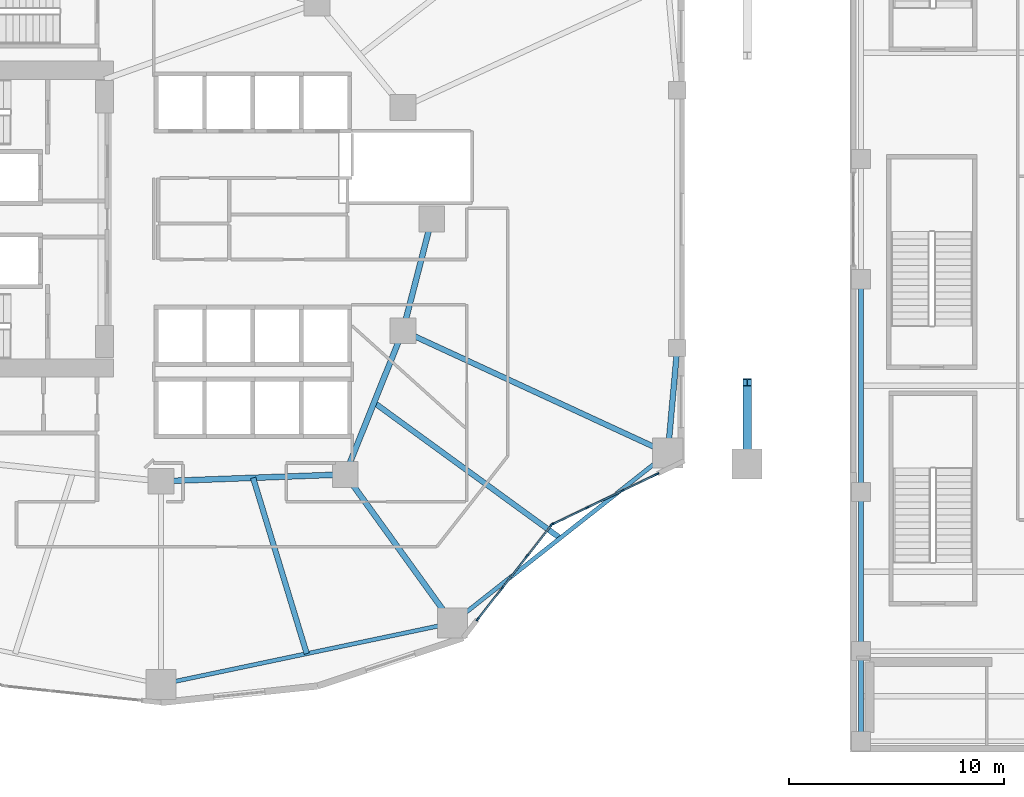
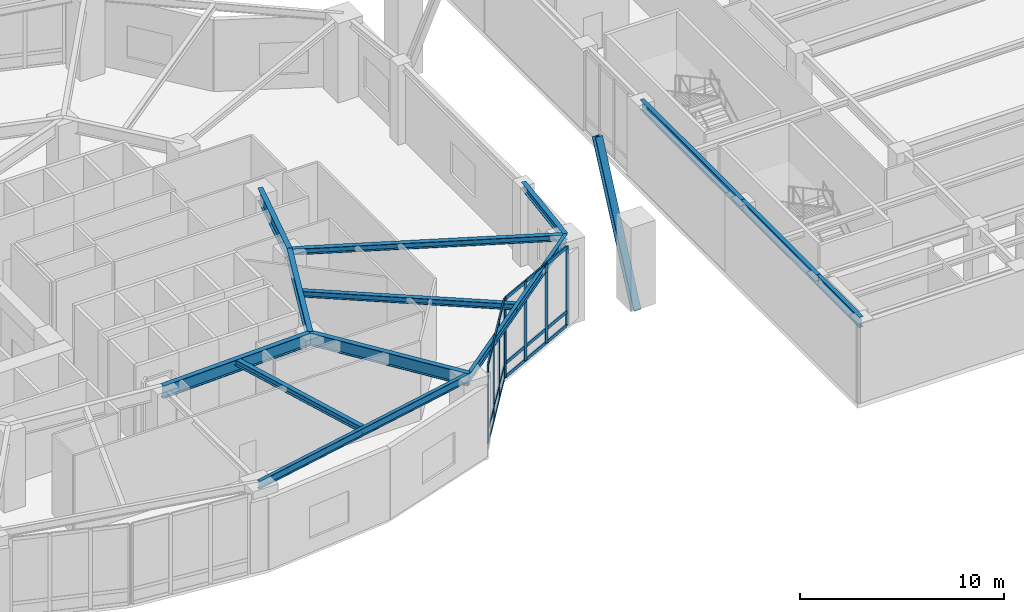
# One storey, part 3 of 21: 27 members, 13 beams, 2 elements without a shape of their own.
"""IFC4 building model written with IfcOpenShell, lengths in metres."""

import ifcopenshell
import ifcopenshell.guid

model = None  # the IFC model being written
_history = None  # IfcOwnerHistory: only IFC2X3 demands one
_inside = {}  # id of a spatial element -> (the spatial element, [elements in it])
_under = {}  # id of a project, library or spatial element -> (it, [spatial elements below it])
_declared = {}  # id of a project -> (the project, [libraries it declares])
_typed = {}  # id of a type object -> (the type object, [elements of that type])
_made_of = {}  # id of a material, layer set ... -> (it, [elements and type objects made of it])


def new_model(schema):
    """Start an empty IFC model of exactly this schema.

    Asked for "IFC4X3", IfcOpenShell would pick the latest addendum, in which some entities
    have other attributes; the version numbers below select the first issue.
    IFC2X3 requires an IfcOwnerHistory on every rooted entity: one is made here for all.
    """
    global model, _history
    if schema == "IFC4X3":
        model = ifcopenshell.file(schema_version=(4, 3, 0, 0))
    else:
        model = ifcopenshell.file(schema=schema)
    _inside.clear()
    _under.clear()
    _declared.clear()
    _typed.clear()
    _made_of.clear()
    _history = None
    if model.schema == "IFC2X3":
        org = make("IfcOrganization", Name="unknown")
        user = make(
            "IfcPersonAndOrganization",
            ThePerson=make("IfcPerson", FamilyName="unknown"),
            TheOrganization=org,
        )
        app = make(
            "IfcApplication",
            ApplicationDeveloper=org,
            Version="unknown",
            ApplicationFullName="unknown",
            ApplicationIdentifier="unknown",
        )
        _history = make(
            "IfcOwnerHistory",
            OwningUser=user,
            OwningApplication=app,
            ChangeAction="ADDED",
            CreationDate=0,
        )
    return model


def make(cls, **values):
    """One entity of the class cls with the attributes given. An attribute that is None is left unset."""
    return model.create_entity(
        cls, **{name: value for name, value in values.items() if value is not None}
    )


def rooted(cls, **values):
    """An entity with a GlobalId (a new one), such as an element, a storey or a relation."""
    return make(cls, GlobalId=ifcopenshell.guid.new(), OwnerHistory=_history, **values)


def si_unit(unit_type, name, prefix=None):
    """IfcSIUnit, for example si_unit("LENGTHUNIT", "METRE", prefix="MILLI")."""
    return make("IfcSIUnit", UnitType=unit_type, Prefix=prefix, Name=name)


def assignment(units):
    """IfcUnitAssignment: the units of a project."""
    return None if units is None else make("IfcUnitAssignment", Units=units)


def point(xyz):
    """IfcCartesianPoint."""
    return None if xyz is None else make("IfcCartesianPoint", Coordinates=xyz)


def direction(xyz):
    """IfcDirection."""
    return None if xyz is None else make("IfcDirection", DirectionRatios=xyz)


def frame(location, z_axis=None, x_axis=None):
    """IfcAxis2Placement3D, a coordinate frame: its origin and axes. An axis left out is left unset."""
    return make(
        "IfcAxis2Placement3D",
        Location=point(location),
        Axis=direction(z_axis),
        RefDirection=direction(x_axis),
    )


def frame_2d(location, x_axis=None):
    """IfcAxis2Placement2D, a coordinate frame in the plane: its origin and x axis."""
    return make(
        "IfcAxis2Placement2D", Location=point(location), RefDirection=direction(x_axis)
    )


def origin():
    """The frame at (0, 0, 0) with its axes left unset."""
    return frame((0.0, 0.0, 0.0))


def origin_2d():
    """The frame at (0, 0) in the plane with its x axis left unset."""
    return frame_2d((0.0, 0.0))


def place(relative_to, where):
    """IfcLocalPlacement: puts the frame where relative to a parent placement (None: the world)."""
    return make(
        "IfcLocalPlacement", PlacementRelTo=relative_to, RelativePlacement=where
    )


def context(
    kind, dimensions, precision=None, world=None, true_north=None, identifier=None
):
    """IfcGeometricRepresentationContext, for example the 3D "Model" context."""
    return make(
        "IfcGeometricRepresentationContext",
        ContextIdentifier=identifier,
        ContextType=kind,
        CoordinateSpaceDimension=dimensions,
        Precision=precision,
        WorldCoordinateSystem=world,
        TrueNorth=true_north,
    )


def subcontext(parent, identifier, kind, view, scale=None):
    """IfcGeometricRepresentationSubContext, for example "Body" below "Model"."""
    return make(
        "IfcGeometricRepresentationSubContext",
        ContextIdentifier=identifier,
        ContextType=kind,
        ParentContext=parent,
        TargetScale=scale,
        TargetView=view,
    )


def project(units=None, contexts=None):
    """IfcProject with its units and contexts."""
    return rooted(
        "IfcProject",
        Name="project",
        RepresentationContexts=contexts,
        UnitsInContext=assignment(units),
    )


def spatial(cls, under=None, at=None, **own):
    """A site, building, storey or space (cls), placed at a placement, below another one or the project."""
    s = rooted(cls, ObjectPlacement=at, **own)
    if under is not None:
        _under.setdefault(under.id(), (under, []))[1].append(s)
    return s


def profile(cls, at=None, kind="AREA", **sizes):
    """A parametric profile (cls). Its sizes go by their IFC names, for example OverallWidth=200.0."""
    return make(cls, ProfileType=kind, Position=at, **sizes)


def rectangle(**sizes):
    """IfcRectangleProfileDef."""
    return profile("IfcRectangleProfileDef", **sizes)


def i_section(**sizes):
    """IfcIShapeProfileDef."""
    return profile("IfcIShapeProfileDef", **sizes)


def extrude(swept, where, along, depth):
    """IfcExtrudedAreaSolid: the profile swept, set in the frame where, extruded along a direction by depth."""
    return make(
        "IfcExtrudedAreaSolid",
        SweptArea=swept,
        Position=where,
        ExtrudedDirection=direction(along),
        Depth=depth,
    )


def shape(context_of_items, identifier, shape_type, items):
    """IfcShapeRepresentation: the items that make up one representation, for example the "Body"."""
    return make(
        "IfcShapeRepresentation",
        ContextOfItems=context_of_items,
        RepresentationIdentifier=identifier,
        RepresentationType=shape_type,
        Items=items,
    )


def material(Name=None, Category=None):
    """IfcMaterial."""
    return make("IfcMaterial", Name=Name, Category=Category)


def layer(
    of_material, thickness, ventilated=None, Name=None, Category=None, Priority=None
):
    """IfcMaterialLayer: one layer of a wall or slab, of a material (None: an air gap)."""
    return make(
        "IfcMaterialLayer",
        Material=of_material,
        LayerThickness=thickness,
        IsVentilated=ventilated,
        Name=Name,
        Category=Category,
        Priority=Priority,
    )


def layer_set(layers, Name=None):
    """IfcMaterialLayerSet."""
    return make("IfcMaterialLayerSet", MaterialLayers=layers, LayerSetName=Name)


def material_profile(
    of_material, cross_section, Name=None, Category=None, Priority=None
):
    """IfcMaterialProfile: a cross section and its material."""
    return make(
        "IfcMaterialProfile",
        Name=Name,
        Material=of_material,
        Profile=cross_section,
        Priority=Priority,
        Category=Category,
    )


def profile_set(profiles, Name=None, composite=None):
    """IfcMaterialProfileSet."""
    return make(
        "IfcMaterialProfileSet",
        Name=Name,
        MaterialProfiles=profiles,
        CompositeProfile=composite,
    )


def made_of(thing, what):
    """Note that an element or type object is made of a material, layer set ...; save() writes the relation."""
    if what is not None:
        _made_of.setdefault(what.id(), (what, []))[1].append(thing)
    return thing


def type_object(cls, material=None, **own):
    """A type object (cls), such as IfcWallType, which elements share."""
    return made_of(rooted(cls, **own), material)


def element(
    cls,
    number,
    at=None,
    inside=None,
    cuts=None,
    type_object=None,
    material=None,
    context=None,
    identifier="Body",
    shape_type=None,
    held_by="IfcProductDefinitionShape",
    body=None,
    shapes=None,
    **own,
):
    """One element of the class cls, such as IfcWall. Its Tag is "e" and its number.

    at: its placement. inside: the storey or other place that contains it. cuts: it is an
    opening in that element (IfcRelVoidsElement). A single representation is given by context,
    identifier, shape_type and body (its items); several are given by shapes. held_by: the class
    of the entity that holds the representations. save() writes the other relations.
    """
    e = rooted(cls, Tag="e%d" % number, ObjectPlacement=at, **own)
    if body is not None:
        shapes = [shape(context, identifier, shape_type, body)]
    if shapes is not None:
        e.Representation = make(held_by, Representations=shapes)
    if inside is not None:
        _inside.setdefault(inside.id(), (inside, []))[1].append(e)
    if cuts is not None:
        rooted(
            "IfcRelVoidsElement", RelatingBuildingElement=cuts, RelatedOpeningElement=e
        )
    if type_object is not None:
        _typed.setdefault(type_object.id(), (type_object, []))[1].append(e)
    return made_of(e, material)


def aggregate(whole, parts):
    """IfcRelAggregates: a whole, such as a stair, and the parts it consists of."""
    return rooted("IfcRelAggregates", RelatingObject=whole, RelatedObjects=parts)


def save(model, path):
    """Write the relations noted so far, then the file.

    IfcRelAggregates (storeys below a building ...), IfcRelContainedInSpatialStructure (elements
    in a storey), IfcRelDefinesByType, IfcRelAssociatesMaterial and IfcRelDeclares: one each for
    every whole, place, type object, material and project.
    """
    for whole, parts in _under.values():
        aggregate(whole, parts)
    for where, things in _inside.values():
        rooted(
            "IfcRelContainedInSpatialStructure",
            RelatedElements=things,
            RelatingStructure=where,
        )
    for kind, things in _typed.values():
        rooted("IfcRelDefinesByType", RelatedObjects=things, RelatingType=kind)
    for what, things in _made_of.values():
        rooted("IfcRelAssociatesMaterial", RelatedObjects=things, RelatingMaterial=what)
    for by, libraries in _declared.values():
        rooted("IfcRelDeclares", RelatingContext=by, RelatedDefinitions=libraries)
    model.write(path)


model = new_model("IFC4")

# Units and contexts
model_context = context("Model", 3, precision=1e-05, world=origin(), true_north=direction((0.0, 1.0)))
body_context = subcontext(model_context, "Body", "Model", "MODEL_VIEW")
ifc_project = project(units=[si_unit("LENGTHUNIT", "METRE"), si_unit("AREAUNIT", "SQUARE_METRE"), si_unit("VOLUMEUNIT", "CUBIC_METRE"), si_unit("PLANEANGLEUNIT", "RADIAN"), si_unit("MASSUNIT", "GRAM", prefix="KILO")], contexts=[model_context])

# Site, building, storey
site_placement = place(None, origin())
site = spatial("IfcSite", under=ifc_project, at=site_placement, CompositionType="ELEMENT")
building_placement = place(site_placement, origin())
building = spatial("IfcBuilding", under=site, at=building_placement, Name="Kolvaren Gate Tower and Convention Centre", CompositionType="ELEMENT")
storey_placement = place(building_placement, frame((0.0, 0.0, 5.0)))
storey = spatial("IfcBuildingStorey", under=building, at=storey_placement, Name="L01", CompositionType="ELEMENT", Elevation=5.0)

# Curtain wall, members
ifc_material_1 = material(Name="Anodized Architectural Aluminium Alloy 6063-T6", Category="aluminium")
ifc_layer = layer(ifc_material_1, 0.179931640625)
ifc_layer_set = layer_set([ifc_layer], Name="Anodized Architectural Aluminium Alloy 6063-T6")
curtain_wall_type = type_object("IfcCurtainWallType", Name="CW-POD-GLZ", PredefinedType="NOTDEFINED", material=ifc_layer_set)
curtain_wall_1_placement = place(storey_placement, origin())
curtain_wall_1 = element("IfcCurtainWall", 1, at=curtain_wall_1_placement, inside=storey, type_object=curtain_wall_type, Name="Tower L01 Unitised Curtain Wall CW-POD-GLZ Bay 20", PredefinedType="NOTDEFINED")
ifc_material_profile_1 = material_profile(ifc_material_1, rectangle(XDim=0.074951171875, YDim=0.199951171875, at=origin_2d()), Name="CW-MEM-MUL-200")
ifc_profile_set_1 = profile_set([ifc_material_profile_1], Name="Anodized Architectural Aluminium Alloy 6063-T6")
member_type_1 = type_object("IfcMemberType", Name="CW-MEM-MUL-200", PredefinedType="MULLION", material=ifc_profile_set_1)
member_1_placement = place(storey_placement, frame((44.8740234375, 8.39111328125, 0.0), z_axis=(0.0, 0.0, 1.0), x_axis=(-0.787413004527, 0.616425794643, 0.0)))
member_1 = element("IfcMember", 2, at=member_1_placement, type_object=member_type_1, Name="CW-01 mullion 1", PredefinedType="MULLION", context=body_context, shape_type="SweptSolid", body=[
    extrude(rectangle(XDim=0.074951171875, YDim=0.199951171875, at=origin_2d()), origin(), (0.0, 0.0, 1.0), 4.739990234375),
])
member_2_placement = place(storey_placement, frame((46.005615234375, 9.8369140625, 0.0), z_axis=(0.0, 0.0, 1.0), x_axis=(-0.787413004527, 0.616425794643, 0.0)))
member_2 = element("IfcMember", 3, at=member_2_placement, type_object=member_type_1, Name="CW-01 mullion 2", PredefinedType="MULLION", context=body_context, shape_type="SweptSolid", body=[
    extrude(rectangle(XDim=0.074951171875, YDim=0.199951171875, at=origin_2d()), origin(), (0.0, 0.0, 1.0), 4.739990234375),
])
member_3_placement = place(storey_placement, frame((47.160400390625, 11.31201171875, 0.0), z_axis=(0.0, 0.0, 1.0), x_axis=(-0.787413004527, 0.616425794643, 0.0)))
member_3 = element("IfcMember", 4, at=member_3_placement, type_object=member_type_1, Name="CW-01 mullion 3", PredefinedType="MULLION", context=body_context, shape_type="SweptSolid", body=[
    extrude(rectangle(XDim=0.074951171875, YDim=0.199951171875, at=origin_2d()), origin(), (0.0, 0.0, 1.0), 4.739990234375),
])
member_4_placement = place(storey_placement, frame((48.292236328125, 12.757568359375, 0.0), z_axis=(0.0, 0.0, 1.0), x_axis=(-0.787413004527, 0.616425794643, 0.0)))
member_4 = element("IfcMember", 5, at=member_4_placement, type_object=member_type_1, Name="CW-01 mullion 4", PredefinedType="MULLION", context=body_context, shape_type="SweptSolid", body=[
    extrude(rectangle(XDim=0.074951171875, YDim=0.199951171875, at=origin_2d()), origin(), (0.0, 0.0, 1.0), 4.739990234375),
])

curtain_wall_2_placement = place(storey_placement, origin())
curtain_wall_2 = element("IfcCurtainWall", 6, at=curtain_wall_2_placement, inside=storey, type_object=curtain_wall_type, Name="Tower L01 Unitised Curtain Wall CW-POD-GLZ Bay 21", PredefinedType="NOTDEFINED")
member_5_placement = place(storey_placement, frame((48.34912109375, 12.803466796875, 0.0), z_axis=(0.0, 0.0, 1.0), x_axis=(-0.433062688542, 0.90136380435, 0.0)))
member_5 = element("IfcMember", 7, at=member_5_placement, type_object=member_type_1, Name="CW-01 mullion 1", PredefinedType="MULLION", context=body_context, shape_type="SweptSolid", body=[
    extrude(rectangle(XDim=0.074951171875, YDim=0.199951171875, at=origin_2d()), origin(), (0.0, 0.0, 1.0), 4.739990234375),
])
member_6_placement = place(storey_placement, frame((49.955810546875, 13.575439453125, 0.0), z_axis=(0.0, 0.0, 1.0), x_axis=(-0.433062688542, 0.90136380435, 0.0)))
member_6 = element("IfcMember", 8, at=member_6_placement, type_object=member_type_1, Name="CW-01 mullion 2", PredefinedType="MULLION", context=body_context, shape_type="SweptSolid", body=[
    extrude(rectangle(XDim=0.074951171875, YDim=0.199951171875, at=origin_2d()), origin(), (0.0, 0.0, 1.0), 4.739990234375),
])
member_7_placement = place(storey_placement, frame((51.59619140625, 14.363525390625, 0.0), z_axis=(0.0, 0.0, 1.0), x_axis=(-0.433062688542, 0.90136380435, 0.0)))
member_7 = element("IfcMember", 9, at=member_7_placement, type_object=member_type_1, Name="CW-01 mullion 3", PredefinedType="MULLION", context=body_context, shape_type="SweptSolid", body=[
    extrude(rectangle(XDim=0.074951171875, YDim=0.199951171875, at=origin_2d()), origin(), (0.0, 0.0, 1.0), 4.739990234375),
])
member_8_placement = place(storey_placement, frame((53.202880859375, 15.135498046875, 0.0), z_axis=(0.0, 0.0, 1.0), x_axis=(-0.433062688542, 0.90136380435, 0.0)))
member_8 = element("IfcMember", 10, at=member_8_placement, type_object=member_type_1, Name="CW-01 mullion 4", PredefinedType="MULLION", context=body_context, shape_type="SweptSolid", body=[
    extrude(rectangle(XDim=0.074951171875, YDim=0.199951171875, at=origin_2d()), origin(), (0.0, 0.0, 1.0), 4.739990234375),
])

# Member
ifc_material_profile_2 = material_profile(ifc_material_1, rectangle(XDim=0.074951171875, YDim=0.199951171875, at=origin_2d()), Name="CW-MEM-TRN-200")
ifc_profile_set_2 = profile_set([ifc_material_profile_2], Name="Anodized Architectural Aluminium Alloy 6063-T6")
member_type_2 = type_object("IfcMemberType", Name="CW-MEM-TRN-200", PredefinedType="USERDEFINED", material=ifc_profile_set_2)
member_9_placement = place(storey_placement, frame((44.89697265625, 8.420654296875, 0.03759765625), z_axis=(0.616375545802, 0.787452339216, 0.0), x_axis=(-0.787452339216, 0.616375545802, 0.0)))
member_9 = element("IfcMember", 11, at=member_9_placement, type_object=member_type_2, Name="CW-01 transom 1.1", ObjectType="TRANSOM", PredefinedType="USERDEFINED", context=body_context, shape_type="SweptSolid", body=[
    extrude(rectangle(XDim=0.074951171875, YDim=0.199951171875, at=origin_2d()), origin(), (0.0, 0.0, 1.0), 1.760986328125),
])

member_10_placement = place(storey_placement, frame((44.89697265625, 8.420654296875, 0.85009765625), z_axis=(0.616375545802, 0.787452339216, 0.0), x_axis=(-0.787452339216, 0.616375545802, 0.0)))
member_10 = element("IfcMember", 12, at=member_10_placement, type_object=member_type_2, Name="CW-01 transom 1.2", ObjectType="TRANSOM", PredefinedType="USERDEFINED", context=body_context, shape_type="SweptSolid", body=[
    extrude(rectangle(XDim=0.074951171875, YDim=0.199951171875, at=origin_2d()), origin(), (0.0, 0.0, 1.0), 1.760986328125),
])

member_11_placement = place(storey_placement, frame((44.89697265625, 8.420654296875, 4.702392578125), z_axis=(0.616375545802, 0.787452339216, 0.0), x_axis=(-0.787452339216, 0.616375545802, 0.0)))
member_11 = element("IfcMember", 13, at=member_11_placement, type_object=member_type_2, Name="CW-01 transom 1.3", ObjectType="TRANSOM", PredefinedType="USERDEFINED", context=body_context, shape_type="SweptSolid", body=[
    extrude(rectangle(XDim=0.074951171875, YDim=0.199951171875, at=origin_2d()), origin(), (0.0, 0.0, 1.0), 1.760986328125),
])

member_12_placement = place(storey_placement, frame((46.02880859375, 9.866455078125, 0.03759765625), z_axis=(0.616465649316, 0.787381802694, 0.0), x_axis=(-0.787381802694, 0.616465649316, 0.0)))
member_12 = element("IfcMember", 14, at=member_12_placement, type_object=member_type_2, Name="CW-01 transom 2.1", ObjectType="TRANSOM", PredefinedType="USERDEFINED", context=body_context, shape_type="SweptSolid", body=[
    extrude(rectangle(XDim=0.074951171875, YDim=0.199951171875, at=origin_2d()), origin(), (0.0, 0.0, 1.0), 1.79833984375),
])

member_13_placement = place(storey_placement, frame((46.02880859375, 9.866455078125, 0.85009765625), z_axis=(0.616465649316, 0.787381802694, 0.0), x_axis=(-0.787381802694, 0.616465649316, 0.0)))
member_13 = element("IfcMember", 15, at=member_13_placement, type_object=member_type_2, Name="CW-01 transom 2.2", ObjectType="TRANSOM", PredefinedType="USERDEFINED", context=body_context, shape_type="SweptSolid", body=[
    extrude(rectangle(XDim=0.074951171875, YDim=0.199951171875, at=origin_2d()), origin(), (0.0, 0.0, 1.0), 1.79833984375),
])

member_14_placement = place(storey_placement, frame((46.02880859375, 9.866455078125, 4.702392578125), z_axis=(0.616465649316, 0.787381802694, 0.0), x_axis=(-0.787381802694, 0.616465649316, 0.0)))
member_14 = element("IfcMember", 16, at=member_14_placement, type_object=member_type_2, Name="CW-01 transom 2.3", ObjectType="TRANSOM", PredefinedType="USERDEFINED", context=body_context, shape_type="SweptSolid", body=[
    extrude(rectangle(XDim=0.074951171875, YDim=0.199951171875, at=origin_2d()), origin(), (0.0, 0.0, 1.0), 1.79833984375),
])

member_15_placement = place(storey_placement, frame((47.18359375, 11.341552734375, 0.03759765625), z_axis=(0.616442840137, 0.787399660175, 0.0), x_axis=(-0.787399660175, 0.616442840137, 0.0)))
member_15 = element("IfcMember", 17, at=member_15_placement, type_object=member_type_2, Name="CW-01 transom 3.1", ObjectType="TRANSOM", PredefinedType="USERDEFINED", context=body_context, shape_type="SweptSolid", body=[
    extrude(rectangle(XDim=0.074951171875, YDim=0.199951171875, at=origin_2d()), origin(), (0.0, 0.0, 1.0), 1.7607421875),
])

member_16_placement = place(storey_placement, frame((47.18359375, 11.341552734375, 0.85009765625), z_axis=(0.616442840137, 0.787399660175, 0.0), x_axis=(-0.787399660175, 0.616442840137, 0.0)))
member_16 = element("IfcMember", 18, at=member_16_placement, type_object=member_type_2, Name="CW-01 transom 3.2", ObjectType="TRANSOM", PredefinedType="USERDEFINED", context=body_context, shape_type="SweptSolid", body=[
    extrude(rectangle(XDim=0.074951171875, YDim=0.199951171875, at=origin_2d()), origin(), (0.0, 0.0, 1.0), 1.7607421875),
])

member_17_placement = place(storey_placement, frame((47.18359375, 11.341552734375, 4.702392578125), z_axis=(0.616442840137, 0.787399660175, 0.0), x_axis=(-0.787399660175, 0.616442840137, 0.0)))
member_17 = element("IfcMember", 19, at=member_17_placement, type_object=member_type_2, Name="CW-01 transom 3.3", ObjectType="TRANSOM", PredefinedType="USERDEFINED", context=body_context, shape_type="SweptSolid", body=[
    extrude(rectangle(XDim=0.074951171875, YDim=0.199951171875, at=origin_2d()), origin(), (0.0, 0.0, 1.0), 1.7607421875),
])

aggregate(curtain_wall_1, [member_1, member_2, member_3, member_4, member_9, member_10, member_11, member_12, member_13, member_14, member_15, member_16, member_17])

member_18_placement = place(storey_placement, frame((48.3828125, 12.819580078125, 0.03759765625), z_axis=(0.9013511863, 0.433088950397, 0.0), x_axis=(-0.433088950397, 0.9013511863, 0.0)))
member_18 = element("IfcMember", 20, at=member_18_placement, type_object=member_type_2, Name="CW-01 transom 1.1", ObjectType="TRANSOM", PredefinedType="USERDEFINED", context=body_context, shape_type="SweptSolid", body=[
    extrude(rectangle(XDim=0.074951171875, YDim=0.199951171875, at=origin_2d()), origin(), (0.0, 0.0, 1.0), 1.70751953125),
])

member_19_placement = place(storey_placement, frame((48.3828125, 12.819580078125, 0.85009765625), z_axis=(0.9013511863, 0.433088950397, 0.0), x_axis=(-0.433088950397, 0.9013511863, 0.0)))
member_19 = element("IfcMember", 21, at=member_19_placement, type_object=member_type_2, Name="CW-01 transom 1.2", ObjectType="TRANSOM", PredefinedType="USERDEFINED", context=body_context, shape_type="SweptSolid", body=[
    extrude(rectangle(XDim=0.074951171875, YDim=0.199951171875, at=origin_2d()), origin(), (0.0, 0.0, 1.0), 1.70751953125),
])

member_20_placement = place(storey_placement, frame((48.3828125, 12.819580078125, 4.702392578125), z_axis=(0.9013511863, 0.433088950397, 0.0), x_axis=(-0.433088950397, 0.9013511863, 0.0)))
member_20 = element("IfcMember", 22, at=member_20_placement, type_object=member_type_2, Name="CW-01 transom 1.3", ObjectType="TRANSOM", PredefinedType="USERDEFINED", context=body_context, shape_type="SweptSolid", body=[
    extrude(rectangle(XDim=0.074951171875, YDim=0.199951171875, at=origin_2d()), origin(), (0.0, 0.0, 1.0), 1.70751953125),
])

member_21_placement = place(storey_placement, frame((49.989501953125, 13.591552734375, 0.03759765625), z_axis=(0.901339603895, 0.433113055046, 0.0), x_axis=(-0.433113055046, 0.901339603895, 0.0)))
member_21 = element("IfcMember", 23, at=member_21_placement, type_object=member_type_2, Name="CW-01 transom 2.1", ObjectType="TRANSOM", PredefinedType="USERDEFINED", context=body_context, shape_type="SweptSolid", body=[
    extrude(rectangle(XDim=0.074951171875, YDim=0.199951171875, at=origin_2d()), origin(), (0.0, 0.0, 1.0), 1.7451171875),
])

member_22_placement = place(storey_placement, frame((49.989501953125, 13.591552734375, 0.85009765625), z_axis=(0.901339603895, 0.433113055046, 0.0), x_axis=(-0.433113055046, 0.901339603895, 0.0)))
member_22 = element("IfcMember", 24, at=member_22_placement, type_object=member_type_2, Name="CW-01 transom 2.2", ObjectType="TRANSOM", PredefinedType="USERDEFINED", context=body_context, shape_type="SweptSolid", body=[
    extrude(rectangle(XDim=0.074951171875, YDim=0.199951171875, at=origin_2d()), origin(), (0.0, 0.0, 1.0), 1.7451171875),
])

member_23_placement = place(storey_placement, frame((49.989501953125, 13.591552734375, 4.702392578125), z_axis=(0.901339603895, 0.433113055046, 0.0), x_axis=(-0.433113055046, 0.901339603895, 0.0)))
member_23 = element("IfcMember", 25, at=member_23_placement, type_object=member_type_2, Name="CW-01 transom 2.3", ObjectType="TRANSOM", PredefinedType="USERDEFINED", context=body_context, shape_type="SweptSolid", body=[
    extrude(rectangle(XDim=0.074951171875, YDim=0.199951171875, at=origin_2d()), origin(), (0.0, 0.0, 1.0), 1.7451171875),
])

member_24_placement = place(storey_placement, frame((51.630126953125, 14.3798828125, 0.03759765625), z_axis=(0.901406997018, 0.432972777121, 0.0), x_axis=(-0.432972777121, 0.901406997018, 0.0)))
member_24 = element("IfcMember", 26, at=member_24_placement, type_object=member_type_2, Name="CW-01 transom 3.1", ObjectType="TRANSOM", PredefinedType="USERDEFINED", context=body_context, shape_type="SweptSolid", body=[
    extrude(rectangle(XDim=0.074951171875, YDim=0.199951171875, at=origin_2d()), origin(), (0.0, 0.0, 1.0), 1.70751953125),
])

member_25_placement = place(storey_placement, frame((51.630126953125, 14.3798828125, 0.85009765625), z_axis=(0.901406997018, 0.432972777121, 0.0), x_axis=(-0.432972777121, 0.901406997018, 0.0)))
member_25 = element("IfcMember", 27, at=member_25_placement, type_object=member_type_2, Name="CW-01 transom 3.2", ObjectType="TRANSOM", PredefinedType="USERDEFINED", context=body_context, shape_type="SweptSolid", body=[
    extrude(rectangle(XDim=0.074951171875, YDim=0.199951171875, at=origin_2d()), origin(), (0.0, 0.0, 1.0), 1.70751953125),
])

member_26_placement = place(storey_placement, frame((51.630126953125, 14.3798828125, 4.702392578125), z_axis=(0.901406997018, 0.432972777121, 0.0), x_axis=(-0.432972777121, 0.901406997018, 0.0)))
member_26 = element("IfcMember", 28, at=member_26_placement, type_object=member_type_2, Name="CW-01 transom 3.3", ObjectType="TRANSOM", PredefinedType="USERDEFINED", context=body_context, shape_type="SweptSolid", body=[
    extrude(rectangle(XDim=0.074951171875, YDim=0.199951171875, at=origin_2d()), origin(), (0.0, 0.0, 1.0), 1.70751953125),
])

aggregate(curtain_wall_2, [member_5, member_6, member_7, member_8, member_18, member_19, member_20, member_21, member_22, member_23, member_24, member_25, member_26])

# Beams
ifc_material_2 = material(Name="Structural steel ASTM A992 Grade 345 MPa", Category="steel")
ifc_material_profile_3 = material_profile(ifc_material_2, i_section(OverallWidth=0.260986328125, OverallDepth=0.419921875, WebThickness=0.01171875, FlangeThickness=0.019287109375, at=origin_2d()), Name="W410X114")
ifc_profile_set_3 = profile_set([ifc_material_profile_3], Name="Structural steel ASTM A992 Grade 345 MPa")
beam_type_1 = type_object("IfcBeamType", Name="STR-BM-W410X114", PredefinedType="BEAM", material=ifc_profile_set_3)
beam_1_placement = place(storey_placement, frame((53.710205078125, 16.1064453125, 4.530029296875), z_axis=(0.089491797753, 0.995987559227, 0.0), x_axis=(-0.995987559227, 0.089491797753, 0.0)))
element("IfcBeam", 29, at=beam_1_placement, inside=storey, type_object=beam_type_1, Name="Tower L01 Recessed Arch Edge Spandrel AE-1", PredefinedType="BEAM", context=body_context, shape_type="SweptSolid", body=[
    extrude(i_section(OverallWidth=0.260986328125, OverallDepth=0.419921875, WebThickness=0.01171875, FlangeThickness=0.019287109375, at=origin_2d()), origin(), (0.0, 0.0, 1.0), 4.913330078125),
])
ifc_material_profile_4 = material_profile(ifc_material_2, i_section(OverallWidth=0.22998046875, OverallDepth=0.616943359375, WebThickness=0.01318359375, FlangeThickness=0.022216796875, at=origin_2d()), Name="W610X140")
ifc_profile_set_4 = profile_set([ifc_material_profile_4], Name="Structural steel ASTM A992 Grade 345 MPa")
beam_type_2 = type_object("IfcBeamType", Name="STR-BM-W610X140", PredefinedType="BEAM", material=ifc_profile_set_4)
beam_2_placement = place(storey_placement, frame((62.699951171875, 2.699951171875, 4.431396484375), z_axis=(0.0, 1.0, 0.0), x_axis=(-1.0, 0.0, 0.0)))
element("IfcBeam", 30, at=beam_2_placement, inside=storey, type_object=beam_type_2, Name="Convention L01 Longitudinal Girder CG-11", PredefinedType="BEAM", context=body_context, shape_type="SweptSolid", body=[
    extrude(i_section(OverallWidth=0.22998046875, OverallDepth=0.616943359375, WebThickness=0.01318359375, FlangeThickness=0.022216796875, at=origin_2d()), origin(), (0.0, 0.0, 1.0), 4.199951171875),
])
beam_3_placement = place(storey_placement, frame((62.699951171875, 6.89990234375, 4.431396484375), z_axis=(0.0, 1.0, 0.0), x_axis=(-1.0, 0.0, 0.0)))
element("IfcBeam", 31, at=beam_3_placement, inside=storey, type_object=beam_type_2, Name="Convention L01 Longitudinal Girder CG-12", PredefinedType="BEAM", context=body_context, shape_type="SweptSolid", body=[
    extrude(i_section(OverallWidth=0.22998046875, OverallDepth=0.616943359375, WebThickness=0.01318359375, FlangeThickness=0.022216796875, at=origin_2d()), origin(), (0.0, 0.0, 1.0), 7.400146484375),
])
beam_4_placement = place(storey_placement, frame((62.699951171875, 14.300048828125, 4.431396484375), z_axis=(0.0, 1.0, 0.0), x_axis=(-1.0, 0.0, 0.0)))
element("IfcBeam", 32, at=beam_4_placement, inside=storey, type_object=beam_type_2, Name="Convention L01 Longitudinal Girder CG-13", PredefinedType="BEAM", context=body_context, shape_type="SweptSolid", body=[
    extrude(i_section(OverallWidth=0.22998046875, OverallDepth=0.616943359375, WebThickness=0.01318359375, FlangeThickness=0.022216796875, at=origin_2d()), origin(), (0.0, 0.0, 1.0), 9.89990234375),
])
ifc_material_profile_5 = material_profile(ifc_material_2, i_section(OverallWidth=0.26806640625, OverallDepth=0.758056640625, WebThickness=0.016357421875, FlangeThickness=0.025390625, at=origin_2d()), Name="W760X220")
ifc_profile_set_5 = profile_set([ifc_material_profile_5], Name="Structural steel ASTM A992 Grade 345 MPa")
beam_type_3 = type_object("IfcBeamType", Name="STR-BM-W760X220", PredefinedType="BEAM", material=ifc_profile_set_5)
beam_5_placement = place(storey_placement, frame((42.72509765625, 27.0, 4.361083984375), z_axis=(-0.250091133936, -0.968222301296, 0.0), x_axis=(0.968222301296, -0.250091133936, 0.0)))
element("IfcBeam", 33, at=beam_5_placement, inside=storey, type_object=beam_type_3, Name="Tower L01 Primary Ring Girder G-01", PredefinedType="BEAM", context=body_context, shape_type="SweptSolid", body=[
    extrude(i_section(OverallWidth=0.26806640625, OverallDepth=0.758056640625, WebThickness=0.016357421875, FlangeThickness=0.025390625, at=origin_2d()), origin(), (0.0, 0.0, 1.0), 5.3701171875),
])
beam_6_placement = place(storey_placement, frame((30.125, 14.800048828125, 4.361083984375), z_axis=(0.999301712453, 0.037364254142, 0.0), x_axis=(-0.037364254142, 0.999301712453, 0.0)))
element("IfcBeam", 34, at=beam_6_placement, inside=storey, type_object=beam_type_3, Name="Tower L01 Primary Ring Girder G-08", PredefinedType="BEAM", context=body_context, shape_type="SweptSolid", body=[
    extrude(i_section(OverallWidth=0.26806640625, OverallDepth=0.758056640625, WebThickness=0.016357421875, FlangeThickness=0.025390625, at=origin_2d()), origin(), (0.0, 0.0, 1.0), 8.579345703125),
])
beam_7_placement = place(storey_placement, frame((38.6982421875, 15.12060546875, 4.361083984375), z_axis=(0.372811100169, 0.927907260232, 0.0), x_axis=(-0.927907260232, 0.372811100169, 0.0)))
element("IfcBeam", 35, at=beam_7_placement, inside=storey, type_object=beam_type_3, Name="Tower L01 Primary Ring Girder G-09", PredefinedType="BEAM", context=body_context, shape_type="SweptSolid", body=[
    extrude(i_section(OverallWidth=0.26806640625, OverallDepth=0.758056640625, WebThickness=0.016357421875, FlangeThickness=0.025390625, at=origin_2d()), origin(), (0.0, 0.0, 1.0), 7.198974609375),
])
beam_8_placement = place(storey_placement, frame((38.6982421875, 15.12060546875, 4.361083984375), z_axis=(0.585208374732, -0.810882949718, 0.0), x_axis=(0.810882949718, 0.585208374732, 0.0)))
element("IfcBeam", 36, at=beam_8_placement, inside=storey, type_object=beam_type_3, Name="Tower L01 Radial Floor Girder RB-11", PredefinedType="BEAM", context=body_context, shape_type="SweptSolid", body=[
    extrude(i_section(OverallWidth=0.26806640625, OverallDepth=0.758056640625, WebThickness=0.016357421875, FlangeThickness=0.025390625, at=origin_2d()), origin(), (0.0, 0.0, 1.0), 8.5302734375),
])

# Member
ifc_material_profile_6 = material_profile(ifc_material_2, i_section(OverallWidth=0.39501953125, OverallDepth=0.3798828125, WebThickness=0.018798828125, FlangeThickness=0.0302734375, at=origin_2d()), Name="W360X237")
ifc_profile_set_6 = profile_set([ifc_material_profile_6], Name="Structural steel ASTM A992 Grade 345 MPa")
member_type_3 = type_object("IfcMemberType", Name="STR-CH-W360X237", PredefinedType="CHORD", material=ifc_profile_set_6)
member_27_placement = place(storey_placement, frame((57.39990234375, 15.60009765625, -0.800048828125), z_axis=(0.0, 0.42518123239, 0.905108236413), x_axis=(-1.0, 0.0, 0.0)))
element("IfcMember", 37, at=member_27_placement, inside=storey, type_object=member_type_3, Name="Monumental East Portal Parabolic Arch Rib AR-01", PredefinedType="CHORD", context=body_context, shape_type="SweptSolid", body=[
    extrude(i_section(OverallWidth=0.39501953125, OverallDepth=0.3798828125, WebThickness=0.018798828125, FlangeThickness=0.0302734375, at=origin_2d()), origin(), (0.0, 0.0, 1.0), 8.93701171875),
])

# Beams
ifc_material_profile_7 = material_profile(ifc_material_2, i_section(OverallWidth=0.2548828125, OverallDepth=0.35693359375, WebThickness=0.010498046875, FlangeThickness=0.018310546875, at=origin_2d()), Name="W360X101")
ifc_profile_set_7 = profile_set([ifc_material_profile_7], Name="Structural steel ASTM A992 Grade 345 MPa")
beam_type_4 = type_object("IfcBeamType", Name="STR-JS-W360X101", PredefinedType="JOIST", material=ifc_profile_set_7)
beam_9_placement = place(storey_placement, frame((41.382080078125, 21.800537109375, 4.5615234375), z_axis=(0.907842006347, -0.419312403241, 0.0), x_axis=(0.419312403241, 0.907842006347, 0.0)))
element("IfcBeam", 38, at=beam_9_placement, inside=storey, type_object=beam_type_4, Name="Tower L01 Radial Floor Girder RB-12", PredefinedType="JOIST", context=body_context, shape_type="SweptSolid", body=[
    extrude(i_section(OverallWidth=0.2548828125, OverallDepth=0.35693359375, WebThickness=0.010498046875, FlangeThickness=0.018310546875, at=origin_2d()), origin(), (0.0, 0.0, 1.0), 13.57958984375),
])
beam_10_placement = place(storey_placement, frame((34.41162109375, 14.960205078125, 4.5615234375), z_axis=(0.291750890749, -0.956494337541, 0.0), x_axis=(0.956494337541, 0.291750890749, 0.0)))
element("IfcBeam", 39, at=beam_10_placement, inside=storey, type_object=beam_type_4, Name="Tower L01 Secondary Composite Floor Joist J-10.1", PredefinedType="JOIST", context=body_context, shape_type="SweptSolid", body=[
    extrude(i_section(OverallWidth=0.2548828125, OverallDepth=0.35693359375, WebThickness=0.010498046875, FlangeThickness=0.018310546875, at=origin_2d()), origin(), (0.0, 0.0, 1.0), 8.5556640625),
])
beam_11_placement = place(storey_placement, frame((40.040283203125, 18.46044921875, 4.5615234375), z_axis=(0.808411716387, -0.588617445212, 0.0), x_axis=(0.588617445212, 0.808411716387, 0.0)))
element("IfcBeam", 40, at=beam_11_placement, inside=storey, type_object=beam_type_4, Name="Tower L01 Secondary Composite Floor Joist J-11.1", PredefinedType="JOIST", context=body_context, shape_type="SweptSolid", body=[
    extrude(i_section(OverallWidth=0.2548828125, OverallDepth=0.35693359375, WebThickness=0.010498046875, FlangeThickness=0.018310546875, at=origin_2d()), origin(), (0.0, 0.0, 1.0), 10.712158203125),
])
ifc_material_profile_8 = material_profile(ifc_material_2, i_section(OverallWidth=0.194091796875, OverallDepth=0.468994140625, WebThickness=0.0126953125, FlangeThickness=0.0205078125, at=origin_2d()), Name="W460X106")
ifc_profile_set_8 = profile_set([ifc_material_profile_8], Name="Structural steel ASTM A992 Grade 345 MPa")
beam_type_5 = type_object("IfcBeamType", Name="STR-SP-W460X106", PredefinedType="SPANDREL", material=ifc_profile_set_8)
beam_12_placement = place(storey_placement, frame((30.125, 5.35009765625, 4.505615234375), z_axis=(0.978583407863, 0.205850707685, 0.0), x_axis=(-0.205850707685, 0.978583407863, 0.0)))
element("IfcBeam", 41, at=beam_12_placement, inside=storey, type_object=beam_type_5, Name="Tower L01 Perimeter Spandrel Beam SP-10", PredefinedType="SPANDREL", context=body_context, shape_type="SweptSolid", body=[
    extrude(i_section(OverallWidth=0.194091796875, OverallDepth=0.468994140625, WebThickness=0.0126953125, FlangeThickness=0.0205078125, at=origin_2d()), origin(), (0.0, 0.0, 1.0), 13.862060546875),
])
beam_13_placement = place(storey_placement, frame((43.690185546875, 8.20361328125, 4.505615234375), z_axis=(0.785176498861, 0.619272044933, 0.0), x_axis=(-0.619272044933, 0.785176498861, 0.0)))
element("IfcBeam", 42, at=beam_13_placement, inside=storey, type_object=beam_type_5, Name="Tower L01 Perimeter Spandrel Beam SP-11", PredefinedType="SPANDREL", context=body_context, shape_type="SweptSolid", body=[
    extrude(i_section(OverallWidth=0.194091796875, OverallDepth=0.468994140625, WebThickness=0.0126953125, FlangeThickness=0.0205078125, at=origin_2d()), origin(), (0.0, 0.0, 1.0), 12.761474609375),
])

save(model, "model.ifc")
